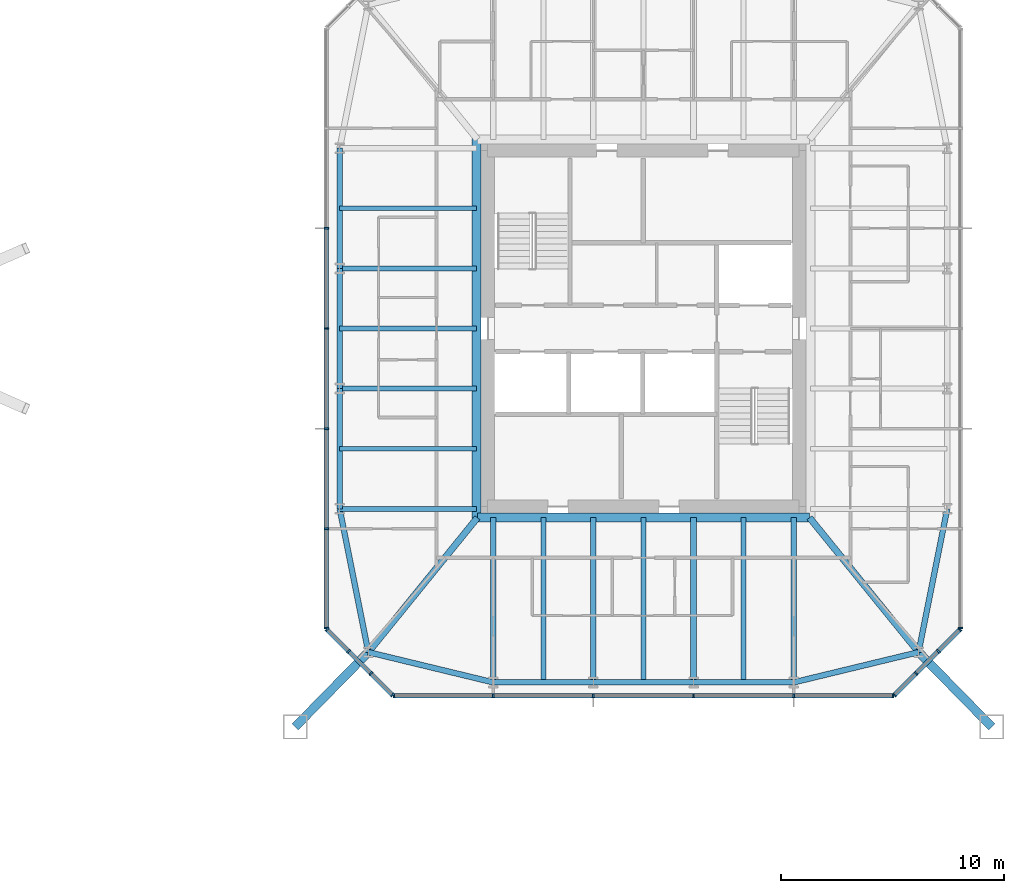
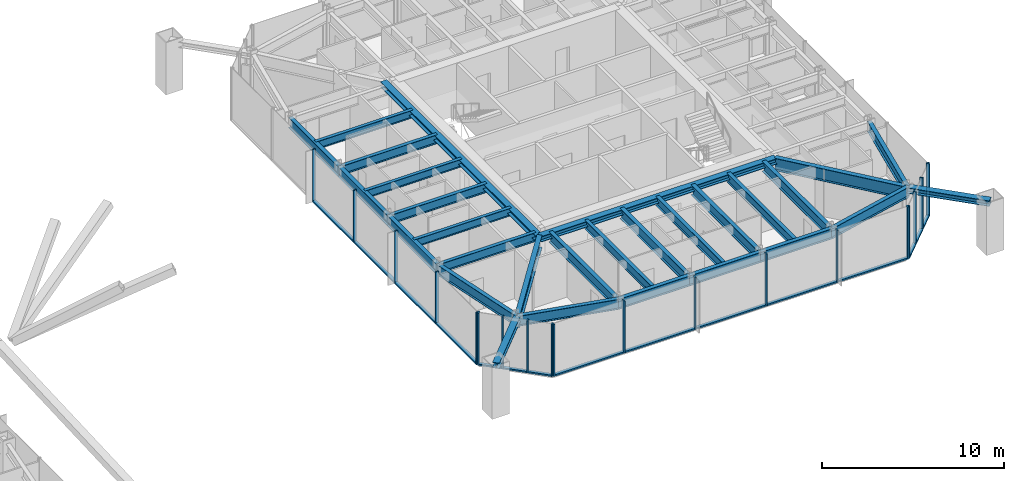
# One storey, part 10 of 27: 37 members, 27 beams, 5 elements without a shape of their own.
"""IFC4 building model written with IfcOpenShell, lengths in metres."""

from ifc_helpers import new_model, si_unit, direction, frame, origin, origin_2d, place, context, subcontext, project, spatial, rectangle, i_section, extrude, material, material_profile, profile_set, type_object, element, aggregate, save


model = new_model("IFC4")

# Units and contexts
model_context = context("Model", 3, precision=1e-05, world=origin(), true_north=direction((0.0, 1.0)))
body_context = subcontext(model_context, "Body", "Model", "MODEL_VIEW")
ifc_project = project(units=[si_unit("LENGTHUNIT", "METRE"), si_unit("AREAUNIT", "SQUARE_METRE"), si_unit("VOLUMEUNIT", "CUBIC_METRE"), si_unit("PLANEANGLEUNIT", "RADIAN"), si_unit("MASSUNIT", "GRAM", prefix="KILO")], contexts=[model_context])

# Site, building, storey
site_placement = place(None, origin())
site = spatial("IfcSite", under=ifc_project, at=site_placement, CompositionType="ELEMENT")
building_placement = place(site_placement, origin())
building = spatial("IfcBuilding", under=site, at=building_placement, Name="Iwan Alto Co-Living Towers", CompositionType="ELEMENT")
storey_placement = place(building_placement, frame((0.0, 0.0, 91.0)))
storey = spatial("IfcBuildingStorey", under=building, at=storey_placement, Name="L24", CompositionType="ELEMENT", Elevation=91.0)

# Curtain wall, members
ifc_material_1 = material(Name="Bronze aluminium unitised frame", Category="aluminium")
curtain_wall_type_1 = type_object("IfcCurtainWallType", Name="CURTAIN WALL CW-C", PredefinedType="NOTDEFINED", material=ifc_material_1)
curtain_wall_1_placement = place(storey_placement, origin())
curtain_wall_1 = element("IfcCurtainWall", 1, at=curtain_wall_1_placement, inside=storey, type_object=curtain_wall_type_1, Name="T2 curtain wall S L24", PredefinedType="NOTDEFINED")
ifc_material_2 = material(Name="Aluminium 6063-T6 bronze anodised", Category="aluminium")
ifc_material_profile_1 = material_profile(ifc_material_2, rectangle(XDim=0.199951171875, YDim=0.080078125, at=origin_2d()), Name="AL 80X200")
ifc_profile_set_1 = profile_set([ifc_material_profile_1], Name="Aluminium 6063-T6 bronze anodised")
member_type_1 = type_object("IfcMemberType", Name="CW-C MULLION 80X200", PredefinedType="MULLION", material=ifc_profile_set_1)
member_1_placement = place(storey_placement, frame((51.7900390625, -16.5, 0.0), z_axis=(0.0, 0.0, 1.0), x_axis=(0.0, 1.0, 0.0)))
member_1 = element("IfcMember", 2, at=member_1_placement, type_object=member_type_1, Name="CW-C mullion 1", PredefinedType="MULLION", context=body_context, shape_type="SweptSolid", body=[
    extrude(rectangle(XDim=0.199951171875, YDim=0.080078125, at=origin_2d()), origin(), (0.0, 0.0, 1.0), 3.5),
])
member_2_placement = place(storey_placement, frame((56.25, -16.5, 0.0), z_axis=(0.0, 0.0, 1.0), x_axis=(0.0, 1.0, 0.0)))
member_2 = element("IfcMember", 3, at=member_2_placement, type_object=member_type_1, Name="CW-C mullion 2", PredefinedType="MULLION", context=body_context, shape_type="SweptSolid", body=[
    extrude(rectangle(XDim=0.199951171875, YDim=0.080078125, at=origin_2d()), origin(), (0.0, 0.0, 1.0), 3.5),
])
member_3_placement = place(storey_placement, frame((60.75, -16.5, 0.0), z_axis=(0.0, 0.0, 1.0), x_axis=(0.0, 1.0, 0.0)))
member_3 = element("IfcMember", 4, at=member_3_placement, type_object=member_type_1, Name="CW-C mullion 3", PredefinedType="MULLION", context=body_context, shape_type="SweptSolid", body=[
    extrude(rectangle(XDim=0.199951171875, YDim=0.080078125, at=origin_2d()), origin(), (0.0, 0.0, 1.0), 3.5),
])
member_4_placement = place(storey_placement, frame((65.25, -16.5, 0.0), z_axis=(0.0, 0.0, 1.0), x_axis=(0.0, 1.0, 0.0)))
member_4 = element("IfcMember", 5, at=member_4_placement, type_object=member_type_1, Name="CW-C mullion 4", PredefinedType="MULLION", context=body_context, shape_type="SweptSolid", body=[
    extrude(rectangle(XDim=0.199951171875, YDim=0.080078125, at=origin_2d()), origin(), (0.0, 0.0, 1.0), 3.5),
])
member_5_placement = place(storey_placement, frame((69.75, -16.5, 0.0), z_axis=(0.0, 0.0, 1.0), x_axis=(0.0, 1.0, 0.0)))
member_5 = element("IfcMember", 6, at=member_5_placement, type_object=member_type_1, Name="CW-C mullion 5", PredefinedType="MULLION", context=body_context, shape_type="SweptSolid", body=[
    extrude(rectangle(XDim=0.199951171875, YDim=0.080078125, at=origin_2d()), origin(), (0.0, 0.0, 1.0), 3.5),
])
member_6_placement = place(storey_placement, frame((74.2099609375, -16.5, 0.0), z_axis=(0.0, 0.0, 1.0), x_axis=(0.0, 1.0, 0.0)))
member_6 = element("IfcMember", 7, at=member_6_placement, type_object=member_type_1, Name="CW-C mullion 6", PredefinedType="MULLION", context=body_context, shape_type="SweptSolid", body=[
    extrude(rectangle(XDim=0.199951171875, YDim=0.080078125, at=origin_2d()), origin(), (0.0, 0.0, 1.0), 3.5),
])

# Curtain wall, member
curtain_wall_2_placement = place(storey_placement, origin())
curtain_wall_2 = element("IfcCurtainWall", 8, at=curtain_wall_2_placement, inside=storey, type_object=curtain_wall_type_1, Name="T2 curtain wall E L24", PredefinedType="NOTDEFINED")
member_7_placement = place(storey_placement, frame((77.25, -13.4599609375, 0.0), z_axis=(0.0, 0.0, 1.0), x_axis=(-1.0, 0.0, 0.0)))
member_7 = element("IfcMember", 9, at=member_7_placement, type_object=member_type_1, Name="CW-C mullion 1", PredefinedType="MULLION", context=body_context, shape_type="SweptSolid", body=[
    extrude(rectangle(XDim=0.199951171875, YDim=0.080078125, at=origin_2d()), origin(), (0.0, 0.0, 1.0), 3.5),
])
aggregate(curtain_wall_2, [member_7])

# Curtain wall, members
curtain_wall_3_placement = place(storey_placement, origin())
curtain_wall_3 = element("IfcCurtainWall", 10, at=curtain_wall_3_placement, inside=storey, type_object=curtain_wall_type_1, Name="T2 curtain wall W L24", PredefinedType="NOTDEFINED")
member_8_placement = place(storey_placement, frame((48.75, 4.5, 0.0), z_axis=(0.0, 0.0, 1.0), x_axis=(1.0, 0.0, 0.0)))
member_8 = element("IfcMember", 11, at=member_8_placement, type_object=member_type_1, Name="CW-C mullion 3", PredefinedType="MULLION", context=body_context, shape_type="SweptSolid", body=[
    extrude(rectangle(XDim=0.199951171875, YDim=0.080078125, at=origin_2d()), origin(), (0.0, 0.0, 1.0), 3.5),
])
member_9_placement = place(storey_placement, frame((48.75, 0.0, 0.0), z_axis=(0.0, 0.0, 1.0), x_axis=(1.0, 0.0, 0.0)))
member_9 = element("IfcMember", 12, at=member_9_placement, type_object=member_type_1, Name="CW-C mullion 4", PredefinedType="MULLION", context=body_context, shape_type="SweptSolid", body=[
    extrude(rectangle(XDim=0.199951171875, YDim=0.080078125, at=origin_2d()), origin(), (0.0, 0.0, 1.0), 3.5),
])
member_10_placement = place(storey_placement, frame((48.75, -4.5, 0.0), z_axis=(0.0, 0.0, 1.0), x_axis=(1.0, 0.0, 0.0)))
member_10 = element("IfcMember", 13, at=member_10_placement, type_object=member_type_1, Name="CW-C mullion 5", PredefinedType="MULLION", context=body_context, shape_type="SweptSolid", body=[
    extrude(rectangle(XDim=0.199951171875, YDim=0.080078125, at=origin_2d()), origin(), (0.0, 0.0, 1.0), 3.5),
])
member_11_placement = place(storey_placement, frame((48.75, -9.0, 0.0), z_axis=(0.0, 0.0, 1.0), x_axis=(1.0, 0.0, 0.0)))
member_11 = element("IfcMember", 14, at=member_11_placement, type_object=member_type_1, Name="CW-C mullion 6", PredefinedType="MULLION", context=body_context, shape_type="SweptSolid", body=[
    extrude(rectangle(XDim=0.199951171875, YDim=0.080078125, at=origin_2d()), origin(), (0.0, 0.0, 1.0), 3.5),
])
member_12_placement = place(storey_placement, frame((48.75, -13.4599609375, 0.0), z_axis=(0.0, 0.0, 1.0), x_axis=(1.0, 0.0, 0.0)))
member_12 = element("IfcMember", 15, at=member_12_placement, type_object=member_type_1, Name="CW-C mullion 7", PredefinedType="MULLION", context=body_context, shape_type="SweptSolid", body=[
    extrude(rectangle(XDim=0.199951171875, YDim=0.080078125, at=origin_2d()), origin(), (0.0, 0.0, 1.0), 3.5),
])

# Member
ifc_material_3 = material(Name="Aluminium 6063-T6 bronze anodised", Category="aluminium")
ifc_material_profile_2 = material_profile(ifc_material_3, rectangle(XDim=0.199951171875, YDim=0.10009765625, at=origin_2d()), Name="AL 200X100")
ifc_profile_set_2 = profile_set([ifc_material_profile_2], Name="Aluminium 6063-T6 bronze anodised")
member_type_2 = type_object("IfcMemberType", Name="CW-C TRANSOM 200X100", PredefinedType="USERDEFINED", material=ifc_profile_set_2)
member_13_placement = place(storey_placement, frame((51.830078125, -16.5, 0.050048828125), z_axis=(1.0, 0.0, 0.0), x_axis=(0.0, 1.0, 0.0)))
member_13 = element("IfcMember", 16, at=member_13_placement, type_object=member_type_2, Name="CW-C transom 1.1", ObjectType="TRANSOM", PredefinedType="USERDEFINED", context=body_context, shape_type="SweptSolid", body=[
    extrude(rectangle(XDim=0.199951171875, YDim=0.10009765625, at=origin_2d()), origin(), (0.0, 0.0, 1.0), 4.3798828125),
])

member_14_placement = place(storey_placement, frame((56.2900390625, -16.5, 0.050048828125), z_axis=(1.0, 0.0, 0.0), x_axis=(0.0, 1.0, 0.0)))
member_14 = element("IfcMember", 17, at=member_14_placement, type_object=member_type_2, Name="CW-C transom 2.1", ObjectType="TRANSOM", PredefinedType="USERDEFINED", context=body_context, shape_type="SweptSolid", body=[
    extrude(rectangle(XDim=0.199951171875, YDim=0.10009765625, at=origin_2d()), origin(), (0.0, 0.0, 1.0), 4.419921875),
])

member_15_placement = place(storey_placement, frame((60.7900390625, -16.5, 0.050048828125), z_axis=(1.0, 0.0, 0.0), x_axis=(0.0, 1.0, 0.0)))
member_15 = element("IfcMember", 18, at=member_15_placement, type_object=member_type_2, Name="CW-C transom 3.1", ObjectType="TRANSOM", PredefinedType="USERDEFINED", context=body_context, shape_type="SweptSolid", body=[
    extrude(rectangle(XDim=0.199951171875, YDim=0.10009765625, at=origin_2d()), origin(), (0.0, 0.0, 1.0), 4.419921875),
])

member_16_placement = place(storey_placement, frame((65.2900390625, -16.5, 0.050048828125), z_axis=(1.0, 0.0, 0.0), x_axis=(0.0, 1.0, 0.0)))
member_16 = element("IfcMember", 19, at=member_16_placement, type_object=member_type_2, Name="CW-C transom 4.1", ObjectType="TRANSOM", PredefinedType="USERDEFINED", context=body_context, shape_type="SweptSolid", body=[
    extrude(rectangle(XDim=0.199951171875, YDim=0.10009765625, at=origin_2d()), origin(), (0.0, 0.0, 1.0), 4.419921875),
])

member_17_placement = place(storey_placement, frame((69.7900390625, -16.5, 0.050048828125), z_axis=(1.0, 0.0, 0.0), x_axis=(0.0, 1.0, 0.0)))
member_17 = element("IfcMember", 20, at=member_17_placement, type_object=member_type_2, Name="CW-C transom 5.1", ObjectType="TRANSOM", PredefinedType="USERDEFINED", context=body_context, shape_type="SweptSolid", body=[
    extrude(rectangle(XDim=0.199951171875, YDim=0.10009765625, at=origin_2d()), origin(), (0.0, 0.0, 1.0), 4.3798828125),
])

aggregate(curtain_wall_1, [member_1, member_2, member_3, member_4, member_5, member_6, member_13, member_14, member_15, member_16, member_17])

member_18_placement = place(storey_placement, frame((48.75, 4.4599609375, 0.050048828125), z_axis=(0.0, -1.0, 0.0), x_axis=(1.0, 0.0, 0.0)))
member_18 = element("IfcMember", 21, at=member_18_placement, type_object=member_type_2, Name="CW-C transom 3.1", ObjectType="TRANSOM", PredefinedType="USERDEFINED", context=body_context, shape_type="SweptSolid", body=[
    extrude(rectangle(XDim=0.199951171875, YDim=0.10009765625, at=origin_2d()), origin(), (0.0, 0.0, 1.0), 4.419921875),
])

member_19_placement = place(storey_placement, frame((48.75, -0.0400390625, 0.050048828125), z_axis=(0.0, -1.0, 0.0), x_axis=(1.0, 0.0, 0.0)))
member_19 = element("IfcMember", 22, at=member_19_placement, type_object=member_type_2, Name="CW-C transom 4.1", ObjectType="TRANSOM", PredefinedType="USERDEFINED", context=body_context, shape_type="SweptSolid", body=[
    extrude(rectangle(XDim=0.199951171875, YDim=0.10009765625, at=origin_2d()), origin(), (0.0, 0.0, 1.0), 4.419921875),
])

member_20_placement = place(storey_placement, frame((48.75, -4.5400390625, 0.050048828125), z_axis=(0.0, -1.0, 0.0), x_axis=(1.0, 0.0, 0.0)))
member_20 = element("IfcMember", 23, at=member_20_placement, type_object=member_type_2, Name="CW-C transom 5.1", ObjectType="TRANSOM", PredefinedType="USERDEFINED", context=body_context, shape_type="SweptSolid", body=[
    extrude(rectangle(XDim=0.199951171875, YDim=0.10009765625, at=origin_2d()), origin(), (0.0, 0.0, 1.0), 4.419921875),
])

member_21_placement = place(storey_placement, frame((48.75, -9.0400390625, 0.050048828125), z_axis=(0.0, -1.0, 0.0), x_axis=(1.0, 0.0, 0.0)))
member_21 = element("IfcMember", 24, at=member_21_placement, type_object=member_type_2, Name="CW-C transom 6.1", ObjectType="TRANSOM", PredefinedType="USERDEFINED", context=body_context, shape_type="SweptSolid", body=[
    extrude(rectangle(XDim=0.199951171875, YDim=0.10009765625, at=origin_2d()), origin(), (0.0, 0.0, 1.0), 4.3798828125),
])

aggregate(curtain_wall_3, [member_8, member_9, member_10, member_11, member_12, member_18, member_19, member_20, member_21])

# Curtain wall, members
ifc_material_4 = material(Name="Bronze aluminium unitised frame", Category="aluminium")
curtain_wall_type_2 = type_object("IfcCurtainWallType", Name="CURTAIN WALL CW-D", PredefinedType="NOTDEFINED", material=ifc_material_4)
curtain_wall_4_placement = place(storey_placement, origin())
curtain_wall_4 = element("IfcCurtainWall", 25, at=curtain_wall_4_placement, inside=storey, type_object=curtain_wall_type_2, Name="T2 chamfer curtain wall SE L24", PredefinedType="NOTDEFINED")
ifc_material_5 = material(Name="Aluminium 6063-T6 bronze anodised", Category="aluminium")
ifc_material_profile_3 = material_profile(ifc_material_5, rectangle(XDim=0.199951171875, YDim=0.080078125, at=origin_2d()), Name="AL 80X200")
ifc_profile_set_3 = profile_set([ifc_material_profile_3], Name="Aluminium 6063-T6 bronze anodised")
member_type_3 = type_object("IfcMemberType", Name="CW-D MULLION 80X200", PredefinedType="MULLION", material=ifc_profile_set_3)
member_22_placement = place(storey_placement, frame((74.2783203125, -16.4716796875, 0.0), z_axis=(0.0, 0.0, 1.0), x_axis=(-0.707106781187, 0.707106781187, 0.0)))
member_22 = element("IfcMember", 26, at=member_22_placement, type_object=member_type_3, Name="CW-D mullion 1", PredefinedType="MULLION", context=body_context, shape_type="SweptSolid", body=[
    extrude(rectangle(XDim=0.199951171875, YDim=0.080078125, at=origin_2d()), origin(), (0.0, 0.0, 1.0), 3.5),
])
member_23_placement = place(storey_placement, frame((75.25, -15.5, 0.0), z_axis=(0.0, 0.0, 1.0), x_axis=(-0.707106781187, 0.707106781187, 0.0)))
member_23 = element("IfcMember", 27, at=member_23_placement, type_object=member_type_3, Name="CW-D mullion 2", PredefinedType="MULLION", context=body_context, shape_type="SweptSolid", body=[
    extrude(rectangle(XDim=0.199951171875, YDim=0.080078125, at=origin_2d()), origin(), (0.0, 0.0, 1.0), 3.5),
])
member_24_placement = place(storey_placement, frame((76.25, -14.5, 0.0), z_axis=(0.0, 0.0, 1.0), x_axis=(-0.707106781187, 0.707106781187, 0.0)))
member_24 = element("IfcMember", 28, at=member_24_placement, type_object=member_type_3, Name="CW-D mullion 3", PredefinedType="MULLION", context=body_context, shape_type="SweptSolid", body=[
    extrude(rectangle(XDim=0.199951171875, YDim=0.080078125, at=origin_2d()), origin(), (0.0, 0.0, 1.0), 3.5),
])
member_25_placement = place(storey_placement, frame((77.2216796875, -13.5283203125, 0.0), z_axis=(0.0, 0.0, 1.0), x_axis=(-0.707106781187, 0.707106781187, 0.0)))
member_25 = element("IfcMember", 29, at=member_25_placement, type_object=member_type_3, Name="CW-D mullion 4", PredefinedType="MULLION", context=body_context, shape_type="SweptSolid", body=[
    extrude(rectangle(XDim=0.199951171875, YDim=0.080078125, at=origin_2d()), origin(), (0.0, 0.0, 1.0), 3.5),
])

curtain_wall_5_placement = place(storey_placement, origin())
curtain_wall_5 = element("IfcCurtainWall", 30, at=curtain_wall_5_placement, inside=storey, type_object=curtain_wall_type_2, Name="T2 chamfer curtain wall SW L24", PredefinedType="NOTDEFINED")
member_26_placement = place(storey_placement, frame((48.7783203125, -13.5283203125, 0.0), z_axis=(0.0, 0.0, 1.0), x_axis=(0.707106781187, 0.707106781187, 0.0)))
member_26 = element("IfcMember", 31, at=member_26_placement, type_object=member_type_3, Name="CW-D mullion 1", PredefinedType="MULLION", context=body_context, shape_type="SweptSolid", body=[
    extrude(rectangle(XDim=0.199951171875, YDim=0.080078125, at=origin_2d()), origin(), (0.0, 0.0, 1.0), 3.5),
])
member_27_placement = place(storey_placement, frame((49.75, -14.5, 0.0), z_axis=(0.0, 0.0, 1.0), x_axis=(0.707106781187, 0.707106781187, 0.0)))
member_27 = element("IfcMember", 32, at=member_27_placement, type_object=member_type_3, Name="CW-D mullion 2", PredefinedType="MULLION", context=body_context, shape_type="SweptSolid", body=[
    extrude(rectangle(XDim=0.199951171875, YDim=0.080078125, at=origin_2d()), origin(), (0.0, 0.0, 1.0), 3.5),
])
member_28_placement = place(storey_placement, frame((50.75, -15.5, 0.0), z_axis=(0.0, 0.0, 1.0), x_axis=(0.707106781187, 0.707106781187, 0.0)))
member_28 = element("IfcMember", 33, at=member_28_placement, type_object=member_type_3, Name="CW-D mullion 3", PredefinedType="MULLION", context=body_context, shape_type="SweptSolid", body=[
    extrude(rectangle(XDim=0.199951171875, YDim=0.080078125, at=origin_2d()), origin(), (0.0, 0.0, 1.0), 3.5),
])
member_29_placement = place(storey_placement, frame((51.7216796875, -16.4716796875, 0.0), z_axis=(0.0, 0.0, 1.0), x_axis=(0.707106781187, 0.707106781187, 0.0)))
member_29 = element("IfcMember", 34, at=member_29_placement, type_object=member_type_3, Name="CW-D mullion 4", PredefinedType="MULLION", context=body_context, shape_type="SweptSolid", body=[
    extrude(rectangle(XDim=0.199951171875, YDim=0.080078125, at=origin_2d()), origin(), (0.0, 0.0, 1.0), 3.5),
])

# Member
ifc_material_6 = material(Name="Aluminium 6063-T6 bronze anodised", Category="aluminium")
ifc_material_profile_4 = material_profile(ifc_material_6, rectangle(XDim=0.199951171875, YDim=0.10009765625, at=origin_2d()), Name="AL 200X100")
ifc_profile_set_4 = profile_set([ifc_material_profile_4], Name="Aluminium 6063-T6 bronze anodised")
member_type_4 = type_object("IfcMemberType", Name="CW-D TRANSOM 200X100", PredefinedType="USERDEFINED", material=ifc_profile_set_4)
member_30_placement = place(storey_placement, frame((74.306640625, -16.443359375, 0.050048828125), z_axis=(0.707106781187, 0.707106781187, 0.0), x_axis=(-0.707106781187, 0.707106781187, 0.0)))
member_30 = element("IfcMember", 35, at=member_30_placement, type_object=member_type_4, Name="CW-D transom 1.1", ObjectType="TRANSOM", PredefinedType="USERDEFINED", context=body_context, shape_type="SweptSolid", body=[
    extrude(rectangle(XDim=0.199951171875, YDim=0.10009765625, at=origin_2d()), origin(), (0.0, 0.0, 1.0), 1.2939453125),
])

member_31_placement = place(storey_placement, frame((75.2783203125, -15.4716796875, 0.050048828125), z_axis=(0.707106781187, 0.707106781187, 0.0), x_axis=(-0.707106781187, 0.707106781187, 0.0)))
member_31 = element("IfcMember", 36, at=member_31_placement, type_object=member_type_4, Name="CW-D transom 2.1", ObjectType="TRANSOM", PredefinedType="USERDEFINED", context=body_context, shape_type="SweptSolid", body=[
    extrude(rectangle(XDim=0.199951171875, YDim=0.10009765625, at=origin_2d()), origin(), (0.0, 0.0, 1.0), 1.334228515625),
])

member_32_placement = place(storey_placement, frame((76.2783203125, -14.4716796875, 0.050048828125), z_axis=(0.707106781187, 0.707106781187, 0.0), x_axis=(-0.707106781187, 0.707106781187, 0.0)))
member_32 = element("IfcMember", 37, at=member_32_placement, type_object=member_type_4, Name="CW-D transom 3.1", ObjectType="TRANSOM", PredefinedType="USERDEFINED", context=body_context, shape_type="SweptSolid", body=[
    extrude(rectangle(XDim=0.199951171875, YDim=0.10009765625, at=origin_2d()), origin(), (0.0, 0.0, 1.0), 1.2939453125),
])

aggregate(curtain_wall_4, [member_22, member_23, member_24, member_25, member_30, member_31, member_32])

member_33_placement = place(storey_placement, frame((48.806640625, -13.556640625, 0.050048828125), z_axis=(0.707106781187, -0.707106781187, 0.0), x_axis=(0.707106781187, 0.707106781187, 0.0)))
member_33 = element("IfcMember", 38, at=member_33_placement, type_object=member_type_4, Name="CW-D transom 1.1", ObjectType="TRANSOM", PredefinedType="USERDEFINED", context=body_context, shape_type="SweptSolid", body=[
    extrude(rectangle(XDim=0.199951171875, YDim=0.10009765625, at=origin_2d()), origin(), (0.0, 0.0, 1.0), 1.2939453125),
])

member_34_placement = place(storey_placement, frame((49.7783203125, -14.5283203125, 0.050048828125), z_axis=(0.707106781187, -0.707106781187, 0.0), x_axis=(0.707106781187, 0.707106781187, 0.0)))
member_34 = element("IfcMember", 39, at=member_34_placement, type_object=member_type_4, Name="CW-D transom 2.1", ObjectType="TRANSOM", PredefinedType="USERDEFINED", context=body_context, shape_type="SweptSolid", body=[
    extrude(rectangle(XDim=0.199951171875, YDim=0.10009765625, at=origin_2d()), origin(), (0.0, 0.0, 1.0), 1.334228515625),
])

member_35_placement = place(storey_placement, frame((50.7783203125, -15.5283203125, 0.050048828125), z_axis=(0.707106781187, -0.707106781187, 0.0), x_axis=(0.707106781187, 0.707106781187, 0.0)))
member_35 = element("IfcMember", 40, at=member_35_placement, type_object=member_type_4, Name="CW-D transom 3.1", ObjectType="TRANSOM", PredefinedType="USERDEFINED", context=body_context, shape_type="SweptSolid", body=[
    extrude(rectangle(XDim=0.199951171875, YDim=0.10009765625, at=origin_2d()), origin(), (0.0, 0.0, 1.0), 1.2939453125),
])

aggregate(curtain_wall_5, [member_26, member_27, member_28, member_29, member_33, member_34, member_35])

# Beams
ifc_material_7 = material(Name="Steel ASTM A992 Gr 50", Category="steel")
ifc_material_profile_5 = material_profile(ifc_material_7, i_section(OverallWidth=0.398681640625, OverallDepth=0.385986328125, WebThickness=0.02099609375, FlangeThickness=0.033203125, at=origin_2d()), Name="W14X176")
ifc_profile_set_5 = profile_set([ifc_material_profile_5], Name="Steel ASTM A992 Gr 50")
beam_type_1 = type_object("IfcBeamType", Name="T2 CORE LEDGER BEAM W14X176", PredefinedType="BEAM", material=ifc_profile_set_5)
beam_1_placement = place(storey_placement, frame((55.538330078125, -8.49951171875, 3.076904296875), z_axis=(1.0, 0.0, 0.0), x_axis=(0.0, 1.0, 0.0)))
element("IfcBeam", 41, at=beam_1_placement, inside=storey, type_object=beam_type_1, Name="T2 core ledger beam S L25", PredefinedType="BEAM", context=body_context, shape_type="SweptSolid", body=[
    extrude(i_section(OverallWidth=0.398681640625, OverallDepth=0.385986328125, WebThickness=0.02099609375, FlangeThickness=0.033203125, at=origin_2d()), origin(), (0.0, 0.0, 1.0), 14.92333984375),
])
beam_2_placement = place(storey_placement, frame((55.50048828125, 8.5458984375, 3.076904296875), z_axis=(0.0, -1.0, 0.0), x_axis=(1.0, 0.0, 0.0)))
element("IfcBeam", 42, at=beam_2_placement, inside=storey, type_object=beam_type_1, Name="T2 core ledger beam W L25", PredefinedType="BEAM", context=body_context, shape_type="SweptSolid", body=[
    extrude(i_section(OverallWidth=0.398681640625, OverallDepth=0.385986328125, WebThickness=0.02099609375, FlangeThickness=0.033203125, at=origin_2d()), origin(), (0.0, 0.0, 1.0), 17.091796875),
])
ifc_material_8 = material(Name="Steel ASTM A992 Gr 50", Category="steel")
ifc_material_profile_6 = material_profile(ifc_material_8, i_section(OverallWidth=0.2919921875, OverallDepth=0.8408203125, WebThickness=0.0146484375, FlangeThickness=0.021728515625, at=origin_2d()), Name="W33X130")
ifc_profile_set_6 = profile_set([ifc_material_profile_6], Name="Steel ASTM A992 Gr 50")
beam_type_2 = type_object("IfcBeamType", Name="T2 CORNER GIRDER W33X130", PredefinedType="BEAM", material=ifc_profile_set_6)
for number, where, z_axis, x_axis, name in (
    (43, (50.638671875, -14.542724609375, 2.849609375), (0.629783024592, 0.776771100091, 0.0), (-0.776771100091, 0.629783024592, 0.0), "T2 corner girder CSW L25"),
    (44, (75.361328125, -14.542724609375, 2.849609375), (-0.629783024592, 0.776771100091, 0.0), (-0.776771100091, -0.629783024592, 0.0), "T2 corner girder CSE L25"),
):
    element("IfcBeam", number, at=place(storey_placement, frame(where, z_axis=z_axis, x_axis=x_axis)), inside=storey, type_object=beam_type_2, Name=name, PredefinedType="BEAM", context=body_context, shape_type="SweptSolid", body=[
        extrude(i_section(OverallWidth=0.2919921875, OverallDepth=0.8408203125, WebThickness=0.0146484375, FlangeThickness=0.021728515625, at=origin_2d()), origin(), (0.0, 0.0, 1.0), 7.780029296875),
    ])
ifc_material_9 = material(Name="Steel ASTM A992 Gr 50", Category="steel")
ifc_material_profile_7 = material_profile(ifc_material_9, i_section(OverallWidth=0.25390625, OverallDepth=0.683349609375, WebThickness=0.012451171875, FlangeThickness=0.018798828125, at=origin_2d()), Name="W27X94")
ifc_profile_set_7 = profile_set([ifc_material_profile_7], Name="Steel ASTM A992 Gr 50")
beam_type_3 = type_object("IfcBeamType", Name="T2 EDGE BEAM W27X94", PredefinedType="BEAM", material=ifc_profile_set_7)
beam_3_placement = place(storey_placement, frame((50.638671875, -14.542724609375, 2.928466796875), z_axis=(0.971974673138, -0.235085590323, 0.0), x_axis=(0.235085590323, 0.971974673138, 0.0)))
element("IfcBeam", 45, at=beam_3_placement, inside=storey, type_object=beam_type_3, Name="T2 edge beam CSW L25", PredefinedType="BEAM", context=body_context, shape_type="SweptSolid", body=[
    extrude(i_section(OverallWidth=0.25390625, OverallDepth=0.683349609375, WebThickness=0.012451171875, FlangeThickness=0.018798828125, at=origin_2d()), origin(), (0.0, 0.0, 1.0), 5.773193359375),
])
for number, where, z_axis, x_axis, name in (
    (46, (56.25, -15.89990234375, 2.928466796875), (1.0, 0.0, 0.0), (0.0, 1.0, 0.0), "T2 edge beam S1 L25"),
    (47, (60.75, -15.89990234375, 2.928466796875), (1.0, 0.0, 0.0), (0.0, 1.0, 0.0), "T2 edge beam S2 L25"),
    (48, (65.25, -15.89990234375, 2.928466796875), (1.0, 0.0, 0.0), (0.0, 1.0, 0.0), "T2 edge beam S3 L25"),
):
    element("IfcBeam", number, at=place(storey_placement, frame(where, z_axis=z_axis, x_axis=x_axis)), inside=storey, type_object=beam_type_3, Name=name, PredefinedType="BEAM", context=body_context, shape_type="SweptSolid", body=[
        extrude(i_section(OverallWidth=0.25390625, OverallDepth=0.683349609375, WebThickness=0.012451171875, FlangeThickness=0.018798828125, at=origin_2d()), origin(), (0.0, 0.0, 1.0), 4.5),
    ])
beam_4_placement = place(storey_placement, frame((69.75, -15.89990234375, 2.928466796875), z_axis=(0.971974673138, 0.235085590323, 0.0), x_axis=(-0.235085590323, 0.971974673138, 0.0)))
element("IfcBeam", 49, at=beam_4_placement, inside=storey, type_object=beam_type_3, Name="T2 edge beam S4 L25", PredefinedType="BEAM", context=body_context, shape_type="SweptSolid", body=[
    extrude(i_section(OverallWidth=0.25390625, OverallDepth=0.683349609375, WebThickness=0.012451171875, FlangeThickness=0.018798828125, at=origin_2d()), origin(), (0.0, 0.0, 1.0), 5.773193359375),
])
beam_5_placement = place(storey_placement, frame((75.361328125, -14.542724609375, 2.928466796875), z_axis=(0.196123281025, 0.980579246487, 0.0), x_axis=(-0.980579246487, 0.196123281025, 0.0)))
element("IfcBeam", 50, at=beam_5_placement, inside=storey, type_object=beam_type_3, Name="T2 edge beam CSE L25", PredefinedType="BEAM", context=body_context, shape_type="SweptSolid", body=[
    extrude(i_section(OverallWidth=0.25390625, OverallDepth=0.683349609375, WebThickness=0.012451171875, FlangeThickness=0.018798828125, at=origin_2d()), origin(), (0.0, 0.0, 1.0), 6.5703125),
])
beam_6_placement = place(storey_placement, frame((49.35009765625, 8.10009765625, 2.928466796875), z_axis=(0.0, -1.0, 0.0), x_axis=(1.0, 0.0, 0.0)))
element("IfcBeam", 51, at=beam_6_placement, inside=storey, type_object=beam_type_3, Name="T2 edge beam W1 L25", PredefinedType="BEAM", context=body_context, shape_type="SweptSolid", body=[
    extrude(i_section(OverallWidth=0.25390625, OverallDepth=0.683349609375, WebThickness=0.012451171875, FlangeThickness=0.018798828125, at=origin_2d()), origin(), (0.0, 0.0, 1.0), 5.400146484375),
])
beam_7_placement = place(storey_placement, frame((49.35009765625, 2.699951171875, 2.928466796875), z_axis=(0.0, -1.0, 0.0), x_axis=(1.0, 0.0, 0.0)))
element("IfcBeam", 52, at=beam_7_placement, inside=storey, type_object=beam_type_3, Name="T2 edge beam W2 L25", PredefinedType="BEAM", context=body_context, shape_type="SweptSolid", body=[
    extrude(i_section(OverallWidth=0.25390625, OverallDepth=0.683349609375, WebThickness=0.012451171875, FlangeThickness=0.018798828125, at=origin_2d()), origin(), (0.0, 0.0, 1.0), 5.39990234375),
])
beam_8_placement = place(storey_placement, frame((49.35009765625, -2.699951171875, 2.928466796875), z_axis=(0.0, -1.0, 0.0), x_axis=(1.0, 0.0, 0.0)))
element("IfcBeam", 53, at=beam_8_placement, inside=storey, type_object=beam_type_3, Name="T2 edge beam W3 L25", PredefinedType="BEAM", context=body_context, shape_type="SweptSolid", body=[
    extrude(i_section(OverallWidth=0.25390625, OverallDepth=0.683349609375, WebThickness=0.012451171875, FlangeThickness=0.018798828125, at=origin_2d()), origin(), (0.0, 0.0, 1.0), 5.400146484375),
])
beam_9_placement = place(storey_placement, frame((49.35009765625, -8.10009765625, 2.928466796875), z_axis=(0.196123281025, -0.980579246487, 0.0), x_axis=(0.980579246487, 0.196123281025, 0.0)))
element("IfcBeam", 54, at=beam_9_placement, inside=storey, type_object=beam_type_3, Name="T2 edge beam W4 L25", PredefinedType="BEAM", context=body_context, shape_type="SweptSolid", body=[
    extrude(i_section(OverallWidth=0.25390625, OverallDepth=0.683349609375, WebThickness=0.012451171875, FlangeThickness=0.018798828125, at=origin_2d()), origin(), (0.0, 0.0, 1.0), 6.5703125),
])

# Members
ifc_material_10 = material(Name="Steel ASTM A992 Gr 50", Category="steel")
ifc_material_profile_8 = material_profile(ifc_material_10, i_section(OverallWidth=0.393798828125, OverallDepth=0.3759765625, WebThickness=0.017333984375, FlangeThickness=0.027587890625, at=origin_2d()), Name="W14X145")
ifc_profile_set_8 = profile_set([ifc_material_profile_8], Name="Steel ASTM A992 Gr 50")
member_type_5 = type_object("IfcMemberType", Name="T2 MEGA COLUMN FLOOR TIE W14X145", PredefinedType="STRUT", material=ifc_profile_set_8)
for number, where, z_axis, x_axis, name in (
    (55, (47.35009765625, -17.89990234375, 3.08203125), (0.699770096147, 0.714368121166, 0.0), (-0.714368121166, 0.699770096147, 0.0), "T2 mega column floor tie SW L25"),
    (56, (78.64990234375, -17.89990234375, 3.08203125), (-0.699770096147, 0.714368121166, 0.0), (-0.714368121166, -0.699770096147, 0.0), "T2 mega column floor tie SE L25"),
):
    element("IfcMember", number, at=place(storey_placement, frame(where, z_axis=z_axis, x_axis=x_axis)), inside=storey, type_object=member_type_5, Name=name, PredefinedType="STRUT", context=body_context, shape_type="SweptSolid", body=[
        extrude(i_section(OverallWidth=0.393798828125, OverallDepth=0.3759765625, WebThickness=0.017333984375, FlangeThickness=0.027587890625, at=origin_2d()), origin(), (0.0, 0.0, 1.0), 4.699462890625),
    ])

# Beams
ifc_material_11 = material(Name="Steel ASTM A992 Gr 50", Category="steel")
ifc_material_profile_9 = material_profile(ifc_material_11, i_section(OverallWidth=0.228271484375, OverallDepth=0.607177734375, WebThickness=0.01123046875, FlangeThickness=0.017333984375, at=origin_2d()), Name="W24X76")
ifc_profile_set_9 = profile_set([ifc_material_profile_9], Name="Steel ASTM A992 Gr 50")
beam_type_4 = type_object("IfcBeamType", Name="T2 RADIAL BEAM W24X76", PredefinedType="BEAM", material=ifc_profile_set_9)
for number, where, z_axis, x_axis, name in (
    (57, (49.35009765625, 2.699951171875, 2.966552734375), (1.0, 0.0, 0.0), (0.0, 1.0, 0.0), "T2 radial beam W2 L25"),
    (58, (49.35009765625, -2.699951171875, 2.966552734375), (1.0, 0.0, 0.0), (0.0, 1.0, 0.0), "T2 radial beam W3 L25"),
    (59, (49.35009765625, -8.10009765625, 2.966552734375), (1.0, 0.0, 0.0), (0.0, 1.0, 0.0), "T2 radial beam W4 L25"),
):
    element("IfcBeam", number, at=place(storey_placement, frame(where, z_axis=z_axis, x_axis=x_axis)), inside=storey, type_object=beam_type_4, Name=name, PredefinedType="BEAM", context=body_context, shape_type="SweptSolid", body=[
        extrude(i_section(OverallWidth=0.228271484375, OverallDepth=0.607177734375, WebThickness=0.01123046875, FlangeThickness=0.017333984375, at=origin_2d()), origin(), (0.0, 0.0, 1.0), 6.150390625),
    ])
ifc_material_12 = material(Name="Steel ASTM A992 Gr 50", Category="steel")
ifc_material_profile_10 = material_profile(ifc_material_12, i_section(OverallWidth=0.25390625, OverallDepth=0.683349609375, WebThickness=0.012451171875, FlangeThickness=0.018798828125, at=origin_2d()), Name="W27X94")
ifc_profile_set_10 = profile_set([ifc_material_profile_10], Name="Steel ASTM A992 Gr 50")
beam_type_5 = type_object("IfcBeamType", Name="T2 RADIAL BEAM W27X94", PredefinedType="BEAM", material=ifc_profile_set_10)
for number, where, z_axis, x_axis, name in (
    (60, (56.25, -15.89990234375, 2.928466796875), (0.0, 1.0, 0.0), (-1.0, 0.0, 0.0), "T2 radial beam S1 L25"),
    (61, (60.75, -15.89990234375, 2.928466796875), (0.0, 1.0, 0.0), (-1.0, 0.0, 0.0), "T2 radial beam S2 L25"),
    (62, (65.25, -15.89990234375, 2.928466796875), (0.0, 1.0, 0.0), (-1.0, 0.0, 0.0), "T2 radial beam S3 L25"),
    (63, (69.75, -15.89990234375, 2.928466796875), (0.0, 1.0, 0.0), (-1.0, 0.0, 0.0), "T2 radial beam S4 L25"),
):
    element("IfcBeam", number, at=place(storey_placement, frame(where, z_axis=z_axis, x_axis=x_axis)), inside=storey, type_object=beam_type_5, Name=name, PredefinedType="BEAM", context=body_context, shape_type="SweptSolid", body=[
        extrude(i_section(OverallWidth=0.25390625, OverallDepth=0.683349609375, WebThickness=0.012451171875, FlangeThickness=0.018798828125, at=origin_2d()), origin(), (0.0, 0.0, 1.0), 7.400390625),
    ])
ifc_material_13 = material(Name="Steel ASTM A992 Gr 50", Category="steel")
ifc_material_profile_11 = material_profile(ifc_material_13, i_section(OverallWidth=0.209228515625, OverallDepth=0.533447265625, WebThickness=0.01025390625, FlangeThickness=0.015625, at=origin_2d()), Name="W21X62")
ifc_profile_set_11 = profile_set([ifc_material_profile_11], Name="Steel ASTM A992 Gr 50")
beam_type_6 = type_object("IfcBeamType", Name="T2 SECONDARY BEAM W21X62", PredefinedType="JOIST", material=ifc_profile_set_11)
for number, where, z_axis, x_axis, name in (
    (64, (49.35009765625, 5.39990234375, 3.00341796875), (1.0, 0.0, 0.0), (0.0, 1.0, 0.0), "T2 secondary beam W1 L25"),
    (65, (49.35009765625, 0.0, 3.00341796875), (1.0, 0.0, 0.0), (0.0, 1.0, 0.0), "T2 secondary beam W2 L25"),
    (66, (49.35009765625, -5.39990234375, 3.00341796875), (1.0, 0.0, 0.0), (0.0, 1.0, 0.0), "T2 secondary beam W3 L25"),
):
    element("IfcBeam", number, at=place(storey_placement, frame(where, z_axis=z_axis, x_axis=x_axis)), inside=storey, type_object=beam_type_6, Name=name, PredefinedType="JOIST", context=body_context, shape_type="SweptSolid", body=[
        extrude(i_section(OverallWidth=0.209228515625, OverallDepth=0.533447265625, WebThickness=0.01025390625, FlangeThickness=0.015625, at=origin_2d()), origin(), (0.0, 0.0, 1.0), 6.150390625),
    ])
ifc_material_14 = material(Name="Steel ASTM A992 Gr 50", Category="steel")
ifc_material_profile_12 = material_profile(ifc_material_14, i_section(OverallWidth=0.228271484375, OverallDepth=0.607177734375, WebThickness=0.01123046875, FlangeThickness=0.017333984375, at=origin_2d()), Name="W24X76")
ifc_profile_set_12 = profile_set([ifc_material_profile_12], Name="Steel ASTM A992 Gr 50")
beam_type_7 = type_object("IfcBeamType", Name="T2 SECONDARY BEAM W24X76", PredefinedType="JOIST", material=ifc_profile_set_12)
for number, where, z_axis, x_axis, name in (
    (67, (58.5, -15.89990234375, 2.966552734375), (0.0, 1.0, 0.0), (-1.0, 0.0, 0.0), "T2 secondary beam S1 L25"),
    (68, (63.0, -15.89990234375, 2.966552734375), (0.0, 1.0, 0.0), (-1.0, 0.0, 0.0), "T2 secondary beam S2 L25"),
    (69, (67.5, -15.89990234375, 2.966552734375), (0.0, 1.0, 0.0), (-1.0, 0.0, 0.0), "T2 secondary beam S3 L25"),
):
    element("IfcBeam", number, at=place(storey_placement, frame(where, z_axis=z_axis, x_axis=x_axis)), inside=storey, type_object=beam_type_7, Name=name, PredefinedType="JOIST", context=body_context, shape_type="SweptSolid", body=[
        extrude(i_section(OverallWidth=0.228271484375, OverallDepth=0.607177734375, WebThickness=0.01123046875, FlangeThickness=0.017333984375, at=origin_2d()), origin(), (0.0, 0.0, 1.0), 7.400390625),
    ])

save(model, "model.ifc")
